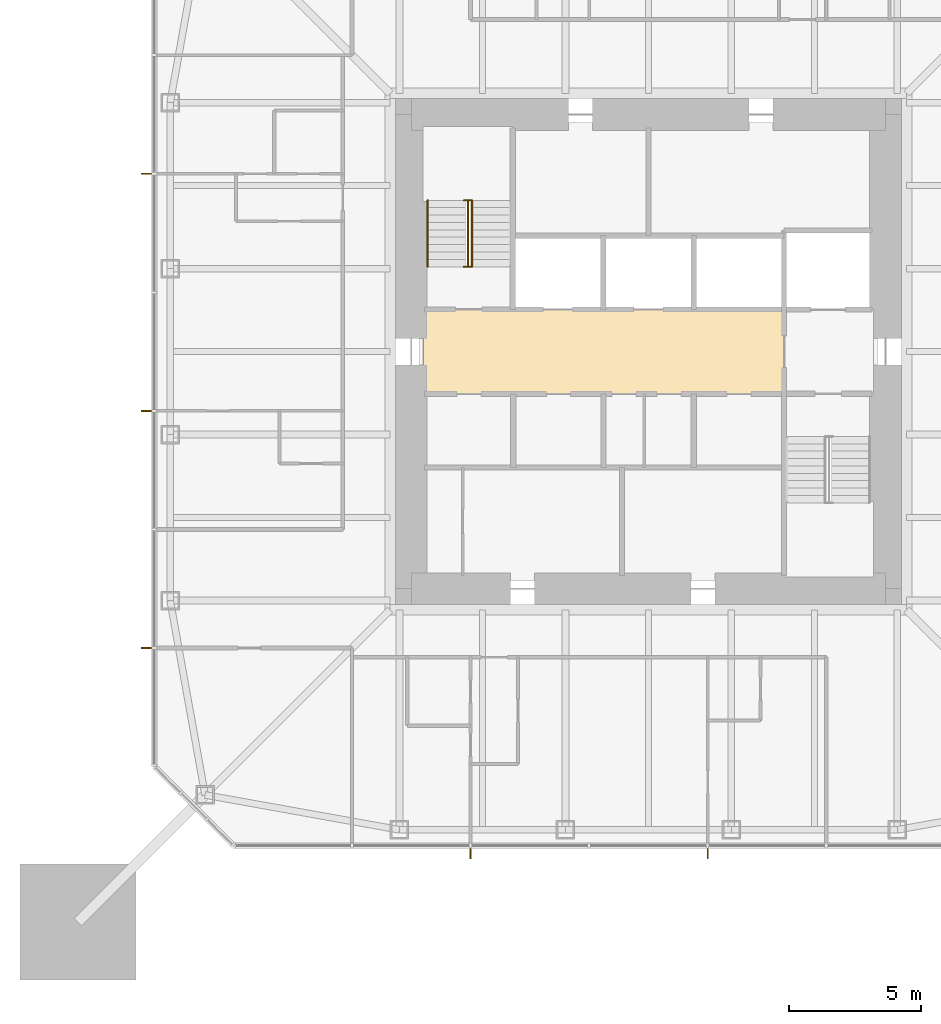
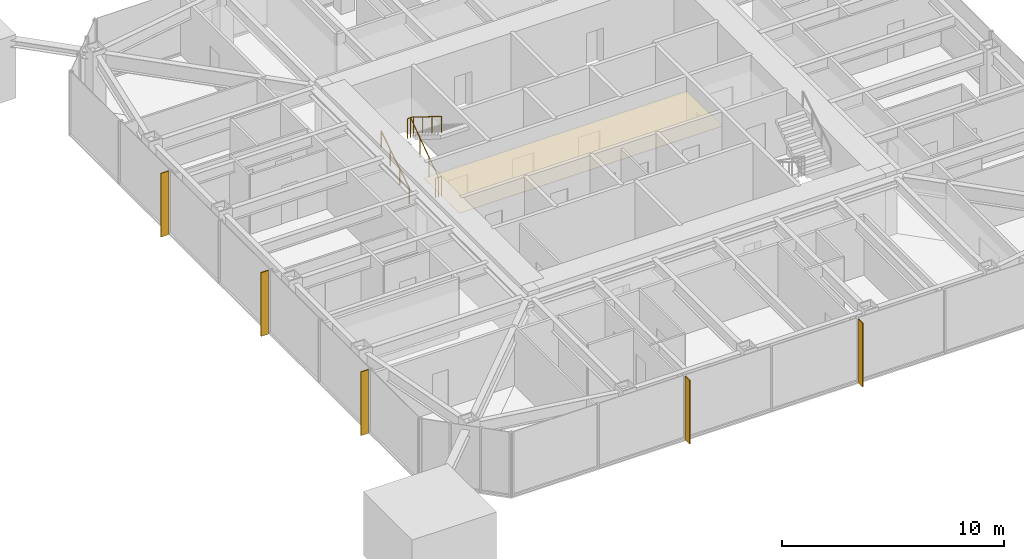
# One storey, part 9 of 11: 5 shading devices, 3 railings, 1 covering.
"""IFC4 building model written with IfcOpenShell, lengths in metres."""

from ifc_helpers import new_model, si_unit, direction, frame, origin, origin_2d, place, context, subcontext, project, spatial, polyline, rectangle, circle, outline, extrude, material, layer, layer_set, constituent, constituent_set, type_object, element, save


model = new_model("IFC4")

# Units and contexts
model_context = context("Model", 3, precision=1e-05, world=origin(), true_north=direction((0.0, 1.0)))
body_context = subcontext(model_context, "Body", "Model", "MODEL_VIEW")
ifc_project = project(units=[si_unit("LENGTHUNIT", "METRE"), si_unit("AREAUNIT", "SQUARE_METRE"), si_unit("VOLUMEUNIT", "CUBIC_METRE"), si_unit("PLANEANGLEUNIT", "RADIAN"), si_unit("MASSUNIT", "GRAM", prefix="KILO")], contexts=[model_context])

# Site, building, storey
site_placement = place(None, origin())
site = spatial("IfcSite", under=ifc_project, at=site_placement, CompositionType="ELEMENT")
building_placement = place(site_placement, origin())
building = spatial("IfcBuilding", under=site, at=building_placement, Name="Iwan Alto Co-Living Towers", CompositionType="ELEMENT")
storey_placement = place(building_placement, frame((0.0, 0.0, 174.0)))
storey = spatial("IfcBuildingStorey", under=building, at=storey_placement, Name="L47", CompositionType="ELEMENT", Elevation=174.0)

# Covering
ifc_material_1 = material(Name="Mineral fibre acoustic tiles on steel grid", Category="steel")
ifc_layer_1 = layer(ifc_material_1, 0.02001953125)
ifc_layer_set_1 = layer_set([ifc_layer_1], Name="ACOUSTIC TILE CEILING 20")
covering_type = type_object("IfcCoveringType", Name="ACOUSTIC TILE CEILING 20", PredefinedType="CEILING", material=ifc_layer_set_1)
covering_placement = place(storey_placement, frame((0.0, 0.0, 2.60009765625)))
element("IfcCovering", 1, at=covering_placement, inside=storey, type_object=covering_type, Name="Ceiling Lift lobby L47", PredefinedType="CEILING", context=body_context, shape_type="SweptSolid", body=[
    extrude(outline(polyline([(-8.550048828125, -1.60009765625), (-8.550048828125, 1.60009765625), (5.14990234375, 1.60009765625), (5.14990234375, -1.60009765625), (-8.550048828125, -1.60009765625)])), origin(), (0.0, 0.0, 1.0), 0.02001953125),
])

# Shading devices
ifc_material_2 = material(Name="Aluminium 6063-T6 bronze anodised", Category="aluminium")
ifc_layer_2 = layer(ifc_material_2, 0.050048828125)
ifc_layer_set_2 = layer_set([ifc_layer_2], Name="BRONZE FIN 50X400")
shading_device_type = type_object("IfcShadingDeviceType", Name="BRONZE FIN 50X400", PredefinedType="USERDEFINED", material=ifc_layer_set_2)
for number, where, z_axis, x_axis, name in (
    (2, (-6.75, -19.050048828125, 0.0), (0.0, 0.0, 1.0), (1.0, 0.0, 0.0), "Bronze fin L47"),
    (3, (2.25, -19.050048828125, 0.0), (0.0, 0.0, 1.0), (1.0, 0.0, 0.0), "Bronze fin L47"),
    (4, (-19.050048828125, 6.75, 0.0), (0.0, 0.0, 1.0), (0.0, -1.0, 0.0), "Bronze fin L47"),
    (5, (-19.050048828125, -2.25, 0.0), (0.0, 0.0, 1.0), (0.0, -1.0, 0.0), "Bronze fin L47"),
    (6, (-19.050048828125, -11.25, 0.0), (0.0, 0.0, 1.0), (0.0, -1.0, 0.0), "Bronze fin L47"),
):
    element("IfcShadingDevice", number, at=place(storey_placement, frame(where, z_axis=z_axis, x_axis=x_axis)), inside=storey, type_object=shading_device_type, Name=name, ObjectType="LOUVER", PredefinedType="USERDEFINED", context=body_context, shape_type="SweptSolid", body=[
        extrude(rectangle(XDim=0.050048828125, YDim=0.39990234375, at=origin_2d()), origin(), (0.0, 0.0, 1.0), 3.5),
    ])

# Railings
ifc_material_3 = material(Name="Steel ASTM A500 Gr C", Category="steel")
ifc_constituent_1 = constituent(ifc_material_3, Name="Rails and posts", Category="Framing")
ifc_material_4 = material(Name="Steel ASTM A36", Category="steel")
ifc_constituent_2 = constituent(ifc_material_4, Name="Bar infill", Category="Infill")
ifc_constituent_set = constituent_set(constituents=[ifc_constituent_1, ifc_constituent_2], Name="STAIR GUARD 1100")
railing_type_1 = type_object("IfcRailingType", Name="STAIR GUARD 1100", PredefinedType="GUARDRAIL", material=ifc_constituent_set)
railing_1_placement = place(storey_placement, frame((-6.85009765625, 3.219970703125, 0.0)))
element("IfcRailing", 7, at=railing_1_placement, inside=storey, type_object=railing_type_1, Name="Stair T1-S1 well guard L47", PredefinedType="GUARDRAIL", context=body_context, shape_type="SweptSolid", body=[
    extrude(circle(Radius=0.02392578125, at=origin_2d()), frame((0.0, 0.0, 1.076171875), z_axis=(0.0, 0.821372036852, 0.570392826987), x_axis=(-1.0, 0.0, 0.0)), (0.0, 0.0, 1.0), 3.068115234375),
    extrude(circle(Radius=0.02392578125, at=origin_2d()), frame((-0.14990234375, 0.0, 1.076171875), z_axis=(1.0, 0.0, 0.0), x_axis=(0.0, 1.0, 0.0)), (0.0, 0.0, 1.0), 0.300048828125),
    extrude(circle(Radius=0.02392578125, at=origin_2d()), frame((-0.14990234375, 2.52001953125, 2.826171875), z_axis=(1.0, 0.0, 0.0), x_axis=(0.0, 1.0, 0.0)), (0.0, 0.0, 1.0), 0.300048828125),
    extrude(circle(Radius=0.02099609375, at=origin_2d()), origin(), (0.0, 0.0, 1.0), 1.052001953125),
    extrude(circle(Radius=0.02099609375, at=origin_2d()), frame((0.0, 0.840087890625, 0.583251953125)), (0.0, 0.0, 1.0), 1.052001953125),
    extrude(circle(Radius=0.02099609375, at=origin_2d()), frame((0.0, 1.679931640625, 1.166748046875)), (0.0, 0.0, 1.0), 1.052001953125),
    extrude(circle(Radius=0.02099609375, at=origin_2d()), frame((0.0, 2.52001953125, 1.75)), (0.0, 0.0, 1.0), 1.052001953125),
    extrude(circle(Radius=0.02099609375, at=origin_2d()), frame((-0.14990234375, 0.0, 0.0)), (0.0, 0.0, 1.0), 1.052001953125),
    extrude(circle(Radius=0.02099609375, at=origin_2d()), frame((0.150146484375, 0.0, 0.0)), (0.0, 0.0, 1.0), 1.052001953125),
    extrude(circle(Radius=0.02099609375, at=origin_2d()), frame((-0.14990234375, 2.52001953125, 1.75)), (0.0, 0.0, 1.0), 1.052001953125),
    extrude(circle(Radius=0.02099609375, at=origin_2d()), frame((0.150146484375, 2.52001953125, 1.75)), (0.0, 0.0, 1.0), 1.052001953125),
])
ifc_material_5 = material(Name="Steel ASTM A500 Gr C", Category="steel")
railing_type_2 = type_object("IfcRailingType", Name="STAIR HANDRAIL 900", PredefinedType="HANDRAIL", material=ifc_material_5)
railing_2_placement = place(storey_placement, frame((-8.3798828125, 3.219970703125, 0.175048828125)))
element("IfcRailing", 8, at=railing_2_placement, inside=storey, type_object=railing_type_2, Name="Stair T1-S1 handrail 1 L47", PredefinedType="HANDRAIL", context=body_context, shape_type="SweptSolid", body=[
    extrude(circle(Radius=0.02392578125, at=origin_2d()), frame((0.0, 0.0, 0.8759765625), z_axis=(0.0, 0.848007534815, 0.529984170421), x_axis=(-1.0, 0.0, 0.0)), (0.0, 0.0, 1.0), 2.9716796875),
    extrude(circle(Radius=0.02099609375, at=origin_2d()), origin(), (0.0, 0.0, 1.0), 0.851806640625),
    extrude(circle(Radius=0.02099609375, at=origin_2d()), frame((0.0, 0.840087890625, 0.52490234375)), (0.0, 0.0, 1.0), 0.851806640625),
    extrude(circle(Radius=0.02099609375, at=origin_2d()), frame((0.0, 1.679931640625, 1.050048828125)), (0.0, 0.0, 1.0), 0.851806640625),
    extrude(circle(Radius=0.02099609375, at=origin_2d()), frame((0.0, 2.52001953125, 1.574951171875)), (0.0, 0.0, 1.0), 0.851806640625),
])
railing_3_placement = place(storey_placement, frame((-6.699951171875, 5.739990234375, 1.925048828125)))
element("IfcRailing", 9, at=railing_3_placement, inside=storey, type_object=railing_type_2, Name="Stair T1-S1 handrail 2 L47", PredefinedType="HANDRAIL", context=body_context, shape_type="SweptSolid", body=[
    extrude(circle(Radius=0.02392578125, at=origin_2d()), frame((0.0, 0.0, 0.8759765625), z_axis=(0.0, -0.848007534815, 0.529984170421), x_axis=(1.0, 0.0, 0.0)), (0.0, 0.0, 1.0), 2.9716796875),
    extrude(circle(Radius=0.02099609375, at=origin_2d()), origin(), (0.0, 0.0, 1.0), 0.851806640625),
    extrude(circle(Radius=0.02099609375, at=origin_2d()), frame((0.0, -0.840087890625, 0.52490234375)), (0.0, 0.0, 1.0), 0.851806640625),
    extrude(circle(Radius=0.02099609375, at=origin_2d()), frame((0.0, -1.679931640625, 1.050048828125)), (0.0, 0.0, 1.0), 0.851806640625),
    extrude(circle(Radius=0.02099609375, at=origin_2d()), frame((0.0, -2.52001953125, 1.574951171875)), (0.0, 0.0, 1.0), 0.851806640625),
])

save(model, "model.ifc")
